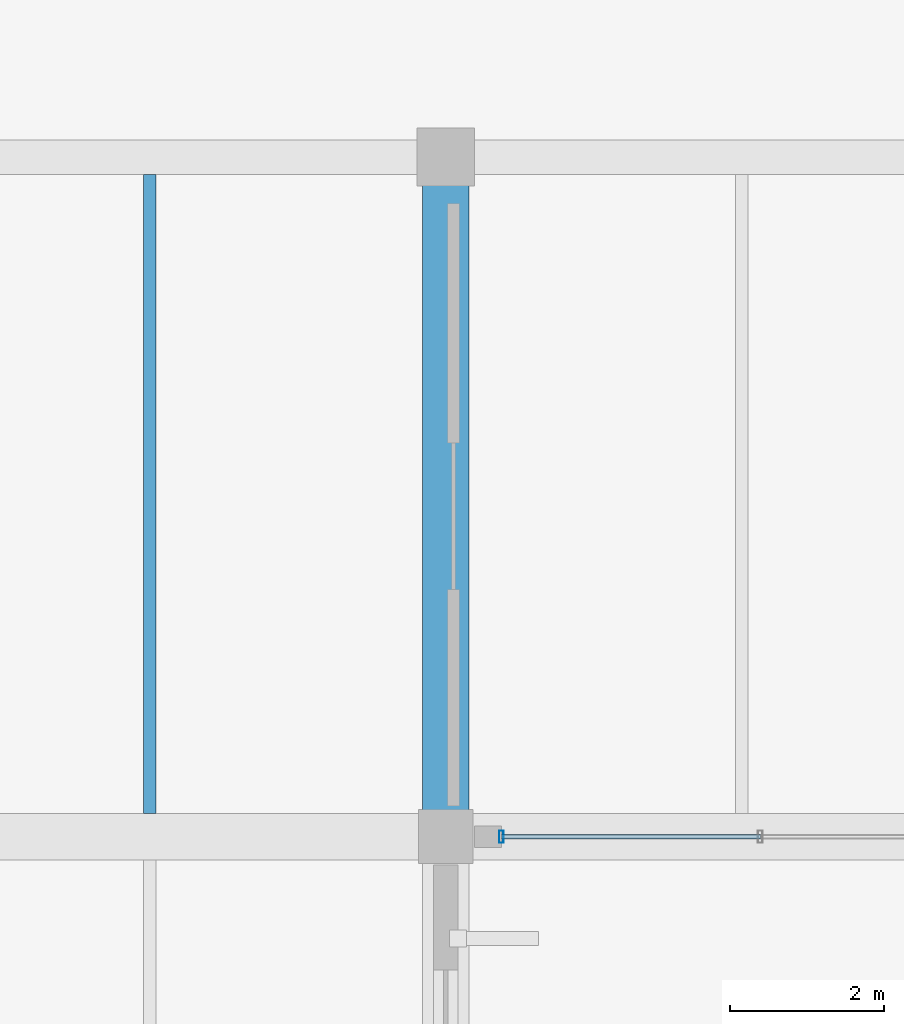
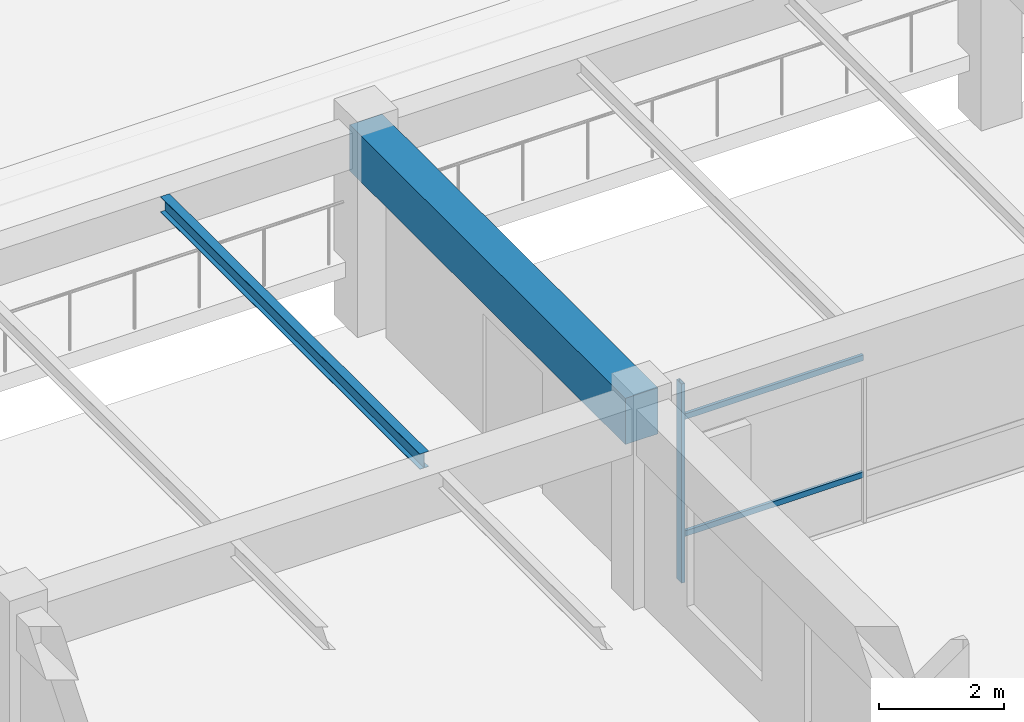
# One storey, part 4 of 109: 3 members, 2 beams, 1 element without a shape of its own.
"""IFC4 building model written with IfcOpenShell, lengths in metres."""

from ifc_helpers import new_model, si_unit, direction, frame, origin, origin_2d, place, context, subcontext, project, spatial, rectangle, hollow_rectangle, i_section, extrude, material, material_profile, profile_set, type_object, element, aggregate, save


model = new_model("IFC4")

# Units and contexts
model_context = context("Model", 3, precision=1e-05, world=origin(), true_north=direction((0.0, 1.0)))
body_context = subcontext(model_context, "Body", "Model", "MODEL_VIEW")
ifc_project = project(units=[si_unit("LENGTHUNIT", "METRE"), si_unit("AREAUNIT", "SQUARE_METRE"), si_unit("VOLUMEUNIT", "CUBIC_METRE"), si_unit("PLANEANGLEUNIT", "RADIAN"), si_unit("MASSUNIT", "GRAM", prefix="KILO")], contexts=[model_context])

# Site, building, storey
site_placement = place(None, origin())
site = spatial("IfcSite", under=ifc_project, at=site_placement, CompositionType="ELEMENT")
building_placement = place(site_placement, origin())
building = spatial("IfcBuilding", under=site, at=building_placement, Name="Ologun Quay Terminus", CompositionType="ELEMENT")
storey_placement = place(building_placement, origin())
storey = spatial("IfcBuildingStorey", under=building, at=storey_placement, Name="L00", CompositionType="ELEMENT", Elevation=0.0)

# Curtain wall, members
ifc_material_1 = material(Name="Aluminium 6063-T6", Category="aluminium")
curtain_wall_type = type_object("IfcCurtainWallType", Name="Forecourt Arcade Curtain Wall 10700x3750", PredefinedType="USERDEFINED", material=ifc_material_1)
curtain_wall_placement = place(storey_placement, origin())
curtain_wall = element("IfcCurtainWall", 1, at=curtain_wall_placement, inside=storey, type_object=curtain_wall_type, Name="CW-03 Curtain Wall CW-L00-001", ObjectType="UNITISED CURTAIN WALL", PredefinedType="USERDEFINED")
ifc_material_2 = material(Name="Aluminium 6063-T6", Category="aluminium")
ifc_material_profile_1 = material_profile(ifc_material_2, hollow_rectangle(XDim=0.06005859375, YDim=0.159912109375, WallThickness=0.00390625, at=origin_2d()), Name="ALU 160x60x4")
ifc_profile_set_1 = profile_set([ifc_material_profile_1], Name="Aluminium 6063-T6")
member_type_1 = type_object("IfcMemberType", Name="Curtain Wall Standard Mullion 160x65", PredefinedType="MULLION", material=ifc_profile_set_1)
member_1_placement = place(storey_placement, frame((12.219970703125, 27.199951171875, 0.0), z_axis=(0.0, 0.0, 1.0), x_axis=(1.0, 0.0, 0.0)))
member_1 = element("IfcMember", 2, at=member_1_placement, type_object=member_type_1, Name="CW-L00-001 Mullion 1", PredefinedType="MULLION", context=body_context, shape_type="SweptSolid", body=[
    extrude(hollow_rectangle(XDim=0.06005859375, YDim=0.159912109375, WallThickness=0.00390625, at=origin_2d()), origin(), (0.0, 0.0, 1.0), 3.8798828125),
])
ifc_material_3 = material(Name="Aluminium 6063-T6", Category="aluminium")
ifc_material_profile_2 = material_profile(ifc_material_3, hollow_rectangle(XDim=0.054931640625, YDim=0.110107421875, WallThickness=0.00390625, at=origin_2d()), Name="ALU 110x55x4")
ifc_profile_set_2 = profile_set([ifc_material_profile_2], Name="Aluminium 6063-T6")
member_type_2 = type_object("IfcMemberType", Name="Curtain Wall Standard Transom 110x55", PredefinedType="USERDEFINED", material=ifc_profile_set_2)
member_2_placement = place(storey_placement, frame((12.219970703125, 27.199951171875, 0.89990234375), z_axis=(1.0, 0.0, 0.0), x_axis=(0.0, 1.0, 0.0)))
member_2 = element("IfcMember", 3, at=member_2_placement, type_object=member_type_2, Name="CW-L00-001 Transom B1-1", ObjectType="TRANSOM", PredefinedType="USERDEFINED", context=body_context, shape_type="SweptSolid", body=[
    extrude(hollow_rectangle(XDim=0.054931640625, YDim=0.110107421875, WallThickness=0.00390625, at=origin_2d()), origin(), (0.0, 0.0, 1.0), 3.353271484375),
])
member_3_placement = place(storey_placement, frame((12.219970703125, 27.199951171875, 3.179931640625), z_axis=(1.0, 0.0, 0.0), x_axis=(0.0, 1.0, 0.0)))
member_3 = element("IfcMember", 4, at=member_3_placement, type_object=member_type_2, Name="CW-L00-001 Transom B1-2", ObjectType="TRANSOM", PredefinedType="USERDEFINED", context=body_context, shape_type="SweptSolid", body=[
    extrude(hollow_rectangle(XDim=0.054931640625, YDim=0.110107421875, WallThickness=0.00390625, at=origin_2d()), origin(), (0.0, 0.0, 1.0), 3.353271484375),
])
aggregate(curtain_wall, [member_1, member_2, member_3])

# Beams
ifc_material_4 = material(Name="Steel S355", Category="steel")
ifc_material_profile_3 = material_profile(ifc_material_4, i_section(OverallWidth=0.1650390625, OverallDepth=0.303466796875, WebThickness=0.006103515625, FlangeThickness=0.01025390625, at=origin_2d()), Name="UKB 305x165x40")
ifc_profile_set_3 = profile_set([ifc_material_profile_3], Name="Steel S355")
beam_type_1 = type_object("IfcBeamType", Name="Mezzanine Steel Joist UKB305", PredefinedType="JOIST", material=ifc_profile_set_3)
beam_1_placement = place(storey_placement, frame((7.666748046875, 27.5, 3.748291015625), z_axis=(0.0, 1.0, 0.0), x_axis=(-1.0, 0.0, 0.0)))
element("IfcBeam", 5, at=beam_1_placement, inside=storey, type_object=beam_type_1, Name="SJ1 Beam 1/D L00", PredefinedType="JOIST", context=body_context, shape_type="SweptSolid", body=[
    extrude(i_section(OverallWidth=0.1650390625, OverallDepth=0.303466796875, WebThickness=0.006103515625, FlangeThickness=0.01025390625, at=origin_2d()), origin(), (0.0, 0.0, 1.0), 8.27490234375),
])
ifc_material_5 = material(Name="Concrete C40/50", Category="concrete")
ifc_material_profile_4 = material_profile(ifc_material_5, rectangle(XDim=0.60009765625, YDim=0.89990234375, at=origin_2d()), Name="RC 600x900")
ifc_profile_set_4 = profile_set([ifc_material_profile_4], Name="Concrete C40/50")
beam_type_2 = type_object("IfcBeamType", Name="Station Frame Girder 600x900", PredefinedType="BEAM", material=ifc_profile_set_4)
beam_2_placement = place(storey_placement, frame((11.5, 27.199951171875, 3.449951171875), z_axis=(0.0, 1.0, 0.0), x_axis=(-1.0, 0.0, 0.0)))
element("IfcBeam", 6, at=beam_2_placement, inside=storey, type_object=beam_type_2, Name="B3 Beam 2/D L00", PredefinedType="BEAM", context=body_context, shape_type="SweptSolid", body=[
    extrude(rectangle(XDim=0.60009765625, YDim=0.89990234375, at=origin_2d()), origin(), (0.0, 0.0, 1.0), 8.800048828125),
])

save(model, "model.ifc")
